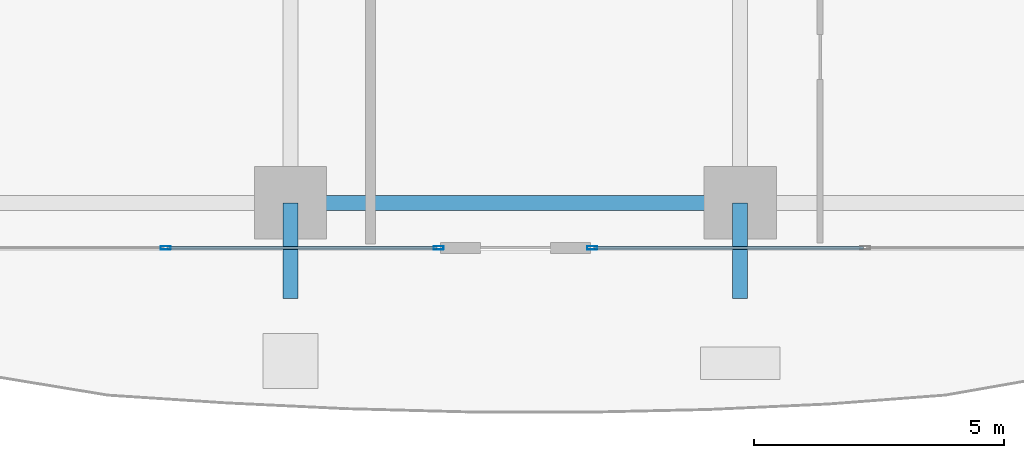
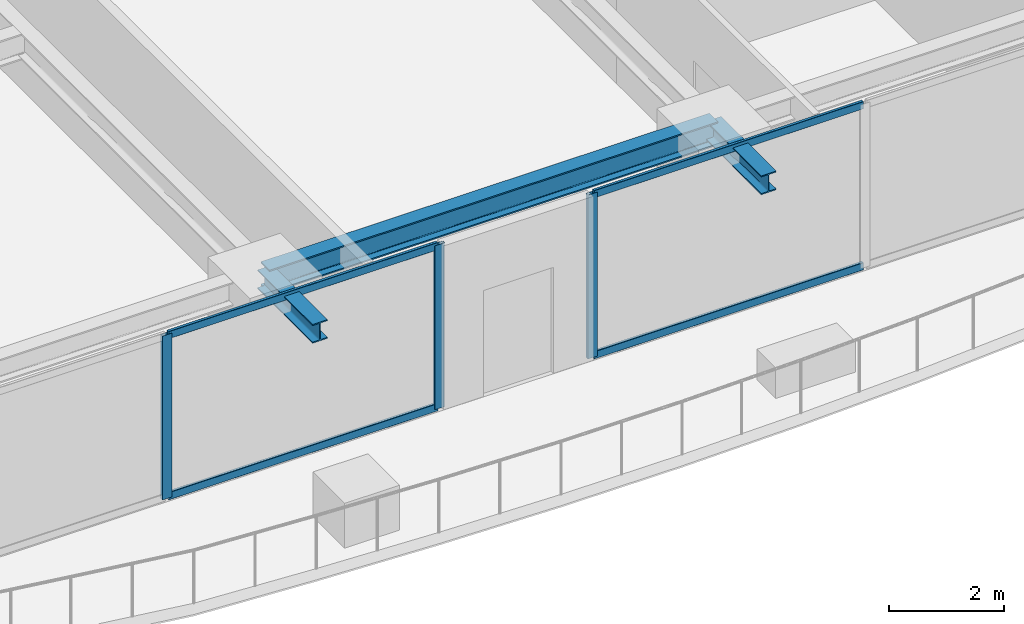
# One storey, part 5 of 39: 7 members, 3 beams, 2 elements without a shape of their own.
"""IFC4 building model written with IfcOpenShell, lengths in metres."""

from ifc_helpers import new_model, si_unit, direction, frame, origin, origin_2d, place, context, subcontext, project, spatial, hollow_rectangle, i_section, extrude, source, transform, mapped, material, layer, layer_set, material_profile, profile_set, type_object, element, aggregate, save


model = new_model("IFC4")

# Units and contexts
model_context = context("Model", 3, precision=1e-05, world=origin(), true_north=direction((0.0, 1.0)))
body_context = subcontext(model_context, "Body", "Model", "MODEL_VIEW")
ifc_project = project(units=[si_unit("LENGTHUNIT", "METRE"), si_unit("AREAUNIT", "SQUARE_METRE"), si_unit("VOLUMEUNIT", "CUBIC_METRE"), si_unit("PLANEANGLEUNIT", "RADIAN"), si_unit("MASSUNIT", "GRAM", prefix="KILO")], contexts=[model_context])

# Site, building, storey
site_placement = place(None, origin())
site = spatial("IfcSite", under=ifc_project, at=site_placement, CompositionType="ELEMENT")
building_placement = place(site_placement, origin())
building = spatial("IfcBuilding", under=site, at=building_placement, Name="Serunith Strait Residences", CompositionType="ELEMENT")
storey_placement = place(building_placement, frame((0.0, 0.0, 79.199951171875)))
storey = spatial("IfcBuildingStorey", under=building, at=storey_placement, Name="L19", CompositionType="ELEMENT", Elevation=79.199951171875)

# Beams
ifc_material_1 = material(Name="Steel S355J2", Category="steel")
ifc_material_profile_1 = material_profile(ifc_material_1, i_section(OverallWidth=0.300048828125, OverallDepth=0.5, WebThickness=0.014404296875, FlangeThickness=0.028076171875, FilletRadius=0.027099609375, at=origin_2d()), Name="HEB 500")
ifc_profile_set_1 = profile_set([ifc_material_profile_1], Name="Steel S355J2")
beam_type_1 = type_object("IfcBeamType", Name="BM-HEB500", PredefinedType="BEAM", material=ifc_profile_set_1)
shared_shape_1 = source(origin(), body_context, "Body", "SweptSolid", [
    extrude(i_section(OverallWidth=0.300048828125, OverallDepth=0.5, WebThickness=0.014404296875, FlangeThickness=0.028076171875, FilletRadius=0.027099609375, at=origin_2d()), origin(), (0.0, 0.0, 1.0), 9.0),
])
beam_placement = place(storey_placement, frame((27.89990234375, 1.10009765625, 3.237060546875), z_axis=(1.0, 0.0, 0.0), x_axis=(0.0, 1.0, 0.0)))
element("IfcBeam", 1, at=beam_placement, inside=storey, type_object=beam_type_1, Name="L19 Perimeter Ring Beam 02", PredefinedType="BEAM", context=body_context, shape_type="MappedRepresentation", body=[
    mapped(shared_shape_1, transform((0.0, 0.0, 0.0), scale=1.0)),
])
ifc_material_profile_2 = material_profile(ifc_material_1, i_section(OverallWidth=0.300048828125, OverallDepth=0.39990234375, WebThickness=0.013427734375, FlangeThickness=0.02392578125, FilletRadius=0.027099609375, at=origin_2d()), Name="HEB 400")
ifc_profile_set_2 = profile_set([ifc_material_profile_2], Name="Steel S355J2")
beam_type_2 = type_object("IfcBeamType", Name="BM-HEB400", PredefinedType="BEAM", material=ifc_profile_set_2)
shared_shape_2 = source(origin(), body_context, "Body", "SweptSolid", [
    extrude(i_section(OverallWidth=0.300048828125, OverallDepth=0.39990234375, WebThickness=0.013427734375, FlangeThickness=0.02392578125, FilletRadius=0.027099609375, at=origin_2d()), origin(), (0.0, 0.0, 1.0), 1.91015625),
])
for number, where, z_axis, x_axis, name in (
    (2, (27.89990234375, 1.10009765625, 3.257080078125), (0.0, -1.0, 0.0), (1.0, 0.0, 0.0), "L20 Cantilevered Balcony Rib TC-S2"),
    (3, (36.89990234375, 1.10009765625, 3.257080078125), (0.0, -1.0, 0.0), (1.0, 0.0, 0.0), "L20 Cantilevered Balcony Rib TC-S3"),
):
    element("IfcBeam", number, at=place(storey_placement, frame(where, z_axis=z_axis, x_axis=x_axis)), inside=storey, type_object=beam_type_2, Name=name, PredefinedType="BEAM", context=body_context, shape_type="MappedRepresentation", body=[
        mapped(shared_shape_2, transform((0.0, 0.0, 0.0), scale=1.0)),
    ])

# Curtain wall, members
ifc_material_2 = material(Name="Pale-Champagne Anodised Aluminium", Category="aluminium")
ifc_layer = layer(ifc_material_2, 0.199951171875, Name="Pale-Champagne Anodised Aluminium")
ifc_layer_set = layer_set([ifc_layer], Name="Pale-Champagne Anodised Aluminium")
curtain_wall_type = type_object("IfcCurtainWallType", Name="CW-SYS1", PredefinedType="NOTDEFINED", material=ifc_layer_set)
curtain_wall_1_placement = place(storey_placement, origin())
curtain_wall_1 = element("IfcCurtainWall", 4, at=curtain_wall_1_placement, inside=storey, type_object=curtain_wall_type, Name="L19 S Unitised Fritted Curtain Wall", PredefinedType="NOTDEFINED")
ifc_material_profile_3 = material_profile(ifc_material_2, hollow_rectangle(XDim=0.070068359375, YDim=0.199951171875, WallThickness=0.00390625, InnerFilletRadius=0.006103515625, OuterFilletRadius=0.010009765625, at=origin_2d()), Name="ALU 200x70x4")
ifc_profile_set_3 = profile_set([ifc_material_profile_3], Name="Pale-Champagne Anodised Aluminium")
member_type_1 = type_object("IfcMemberType", Name="CW-SYS1-MULL", PredefinedType="MULLION", material=ifc_profile_set_3)
shared_shape_3 = source(origin(), body_context, "Body", "SweptSolid", [
    extrude(hollow_rectangle(XDim=0.070068359375, YDim=0.199951171875, WallThickness=0.00390625, InnerFilletRadius=0.006103515625, OuterFilletRadius=0.010009765625, at=origin_2d()), origin(), (0.0, 0.0, 1.0), 3.47509765625),
])
member_1_placement = place(storey_placement, frame((25.39990234375, 0.199951171875, 0.0), z_axis=(0.0, 0.0, 1.0), x_axis=(0.0, 1.0, 0.0)))
member_1 = element("IfcMember", 5, at=member_1_placement, type_object=member_type_1, Name="CW-1 mullion 3", PredefinedType="MULLION", context=body_context, shape_type="MappedRepresentation", body=[
    mapped(shared_shape_3, transform((0.0, 0.0, 0.0), scale=1.0)),
])
member_2_placement = place(storey_placement, frame((30.864990234375, 0.199951171875, 0.0), z_axis=(0.0, 0.0, 1.0), x_axis=(0.0, 1.0, 0.0)))
member_2 = element("IfcMember", 6, at=member_2_placement, type_object=member_type_1, Name="CW-1 mullion 4", PredefinedType="MULLION", context=body_context, shape_type="MappedRepresentation", body=[
    mapped(shared_shape_3, transform((0.0, 0.0, 0.0), scale=1.0)),
])

# Curtain wall, member
curtain_wall_2_placement = place(storey_placement, origin())
curtain_wall_2 = element("IfcCurtainWall", 7, at=curtain_wall_2_placement, inside=storey, type_object=curtain_wall_type, Name="L19 S Unitised Fritted Curtain Wall", PredefinedType="NOTDEFINED")
member_3_placement = place(storey_placement, frame((33.93505859375, 0.199951171875, 0.0), z_axis=(0.0, 0.0, 1.0), x_axis=(0.0, 1.0, 0.0)))
member_3 = element("IfcMember", 8, at=member_3_placement, type_object=member_type_1, Name="CW-1 mullion 1", PredefinedType="MULLION", context=body_context, shape_type="MappedRepresentation", body=[
    mapped(shared_shape_3, transform((0.0, 0.0, 0.0), scale=1.0)),
])

# Member
ifc_material_profile_4 = material_profile(ifc_material_2, hollow_rectangle(XDim=0.06005859375, YDim=0.159912109375, WallThickness=0.00341796875, InnerFilletRadius=0.00537109375, OuterFilletRadius=0.0087890625, at=origin_2d()), Name="ALU 160x60x3.5")
ifc_profile_set_4 = profile_set([ifc_material_profile_4], Name="Pale-Champagne Anodised Aluminium")
member_type_2 = type_object("IfcMemberType", Name="CW-SYS1-TRAN", PredefinedType="USERDEFINED", material=ifc_profile_set_4)
shared_shape_4 = source(origin(), body_context, "Body", "SweptSolid", [
    extrude(hollow_rectangle(XDim=0.06005859375, YDim=0.159912109375, WallThickness=0.00341796875, InnerFilletRadius=0.00537109375, OuterFilletRadius=0.0087890625, at=origin_2d()), origin(), (0.0, 0.0, 1.0), 5.39501953125),
])
member_4_placement = place(storey_placement, frame((25.43505859375, 0.199951171875, 0.030029296875), z_axis=(1.0, 0.0, 0.0), x_axis=(0.0, 1.0, 0.0)))
member_4 = element("IfcMember", 9, at=member_4_placement, type_object=member_type_2, Name="CW-1 transom 3.1", ObjectType="TRANSOM", PredefinedType="USERDEFINED", context=body_context, shape_type="MappedRepresentation", body=[
    mapped(shared_shape_4, transform((0.0, 0.0, 0.0), scale=1.0)),
])

member_5_placement = place(storey_placement, frame((25.43505859375, 0.199951171875, 3.445068359375), z_axis=(1.0, 0.0, 0.0), x_axis=(0.0, 1.0, 0.0)))
member_5 = element("IfcMember", 10, at=member_5_placement, type_object=member_type_2, Name="CW-1 transom 3.2", ObjectType="TRANSOM", PredefinedType="USERDEFINED", context=body_context, shape_type="MappedRepresentation", body=[
    mapped(shared_shape_4, transform((0.0, 0.0, 0.0), scale=1.0)),
])

aggregate(curtain_wall_1, [member_1, member_2, member_4, member_5])

member_6_placement = place(storey_placement, frame((33.969970703125, 0.199951171875, 0.030029296875), z_axis=(1.0, 0.0, 0.0), x_axis=(0.0, 1.0, 0.0)))
member_6 = element("IfcMember", 11, at=member_6_placement, type_object=member_type_2, Name="CW-1 transom 1.1", ObjectType="TRANSOM", PredefinedType="USERDEFINED", context=body_context, shape_type="MappedRepresentation", body=[
    mapped(shared_shape_4, transform((0.0, 0.0, 0.0), scale=1.0)),
])

member_7_placement = place(storey_placement, frame((33.969970703125, 0.199951171875, 3.445068359375), z_axis=(1.0, 0.0, 0.0), x_axis=(0.0, 1.0, 0.0)))
member_7 = element("IfcMember", 12, at=member_7_placement, type_object=member_type_2, Name="CW-1 transom 1.2", ObjectType="TRANSOM", PredefinedType="USERDEFINED", context=body_context, shape_type="MappedRepresentation", body=[
    mapped(shared_shape_4, transform((0.0, 0.0, 0.0), scale=1.0)),
])

aggregate(curtain_wall_2, [member_3, member_6, member_7])

save(model, "model.ifc")
